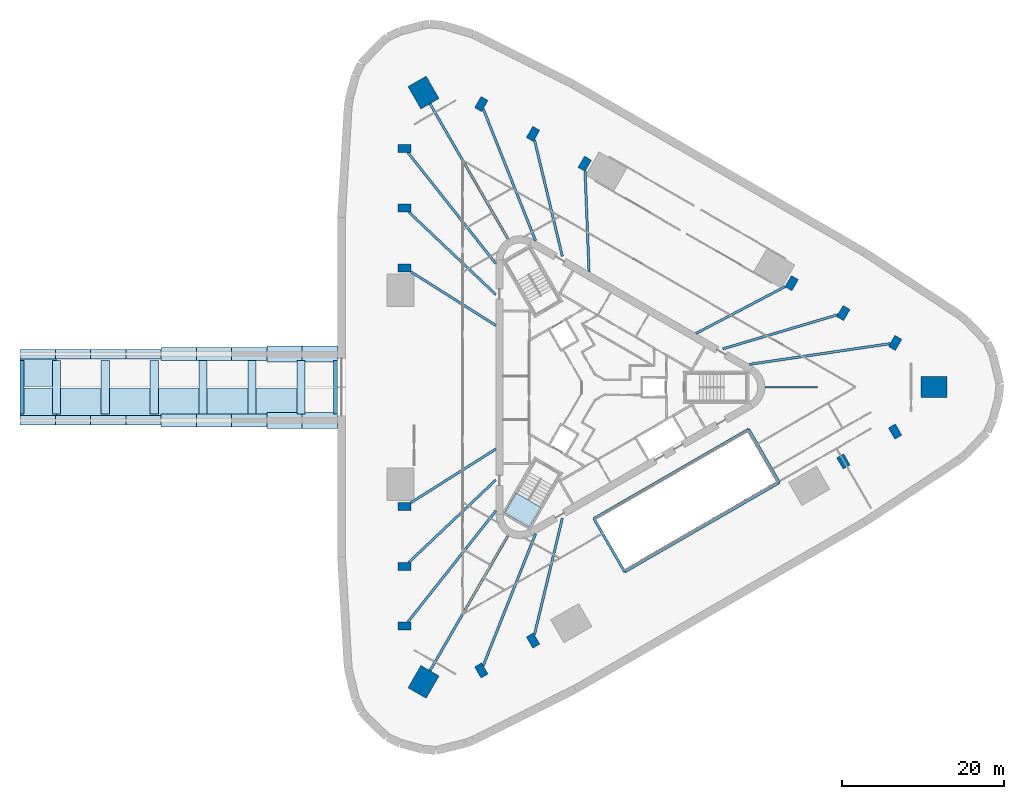
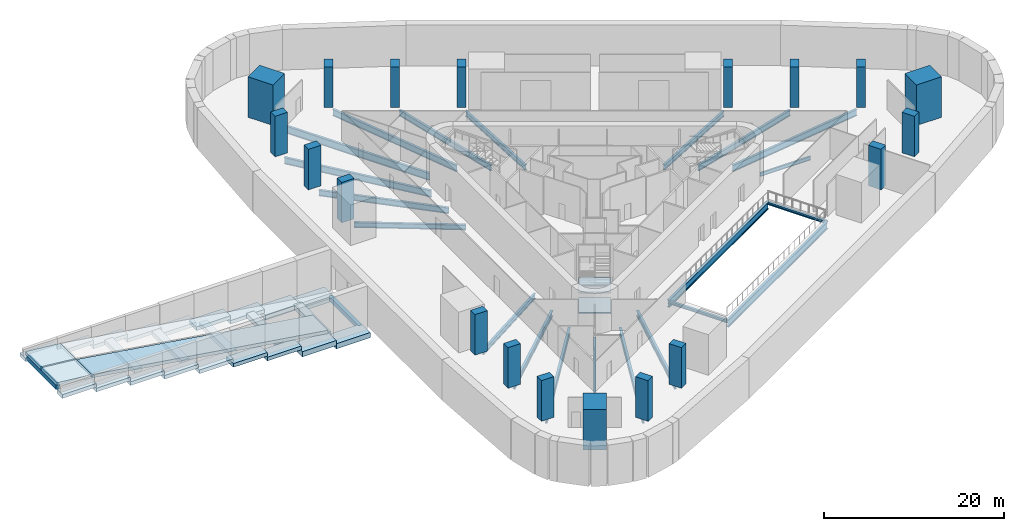
# One storey, part 1 of 13: 26 footings, 21 beams, 19 columns, 5 slabs, 1 element without a shape of its own.
"""IFC4 building model written with IfcOpenShell, lengths in metres."""

from ifc_helpers import new_model, si_unit, direction, frame, origin, origin_2d, place, context, subcontext, project, spatial, polyline, rectangle, i_section, outline, extrude, material, layer, layer_set, material_profile, profile_set, type_object, element, aggregate, save


model = new_model("IFC4")

# Units and contexts
model_context = context("Model", 3, precision=1e-05, world=origin(), true_north=direction((0.0, 1.0)))
body_context = subcontext(model_context, "Body", "Model", "MODEL_VIEW")
ifc_project = project(units=[si_unit("LENGTHUNIT", "METRE"), si_unit("AREAUNIT", "SQUARE_METRE"), si_unit("VOLUMEUNIT", "CUBIC_METRE"), si_unit("PLANEANGLEUNIT", "RADIAN"), si_unit("MASSUNIT", "GRAM", prefix="KILO")], contexts=[model_context])

# Site, building, storey
site_placement = place(None, origin())
site = spatial("IfcSite", under=ifc_project, at=site_placement, CompositionType="ELEMENT")
building_placement = place(site_placement, origin())
building = spatial("IfcBuilding", under=site, at=building_placement, Name="Tanit Gate Tower", CompositionType="ELEMENT")
storey_placement = place(building_placement, frame((0.0, 0.0, -5.5)))
storey = spatial("IfcBuildingStorey", under=building, at=storey_placement, Name="B1", CompositionType="ELEMENT", Elevation=-5.5)

# Footings
ifc_material_1 = material(Name="Concrete C35/45", Category="concrete")
ifc_layer_1 = layer(ifc_material_1, 0.5)
ifc_layer_set_1 = layer_set([ifc_layer_1], Name="STRIP FOOTING 1200 500 C35/45")
footing_type_1 = type_object("IfcFootingType", Name="STRIP FOOTING 1200 500 C35/45", PredefinedType="STRIP_FOOTING", material=ifc_layer_set_1)
footing_1_placement = place(storey_placement, frame((0.0, 0.0, 2.130859375)))
element("IfcFooting", 1, at=footing_1_placement, inside=storey, type_object=footing_type_1, Name="STRIP FOOTING", PredefinedType="STRIP_FOOTING", context=body_context, shape_type="SweptSolid", body=[
    extrude(outline(polyline([(-53.542236328125, -4.699951171875), (-57.90673828125, -4.699951171875), (-57.90673828125, -3.5), (-53.542236328125, -3.5), (-53.542236328125, -4.699951171875)])), origin(), (0.0, 0.0, 1.0), 0.5),
])
footing_2_placement = place(storey_placement, frame((0.0, 0.0, 2.79248046875)))
element("IfcFooting", 2, at=footing_2_placement, inside=storey, type_object=footing_type_1, Name="STRIP FOOTING", PredefinedType="STRIP_FOOTING", context=body_context, shape_type="SweptSolid", body=[
    extrude(outline(polyline([(-57.90673828125, -4.699951171875), (-62.27099609375, -4.699951171875), (-62.27099609375, -3.5), (-57.90673828125, -3.5), (-57.90673828125, -4.699951171875)])), origin(), (0.0, 0.0, 1.0), 0.5),
])
footing_3_placement = place(storey_placement, frame((0.0, 0.0, 3.4541015625)))
element("IfcFooting", 3, at=footing_3_placement, inside=storey, type_object=footing_type_1, Name="STRIP FOOTING", PredefinedType="STRIP_FOOTING", context=body_context, shape_type="SweptSolid", body=[
    extrude(outline(polyline([(-62.27099609375, -4.699951171875), (-66.635498046875, -4.699951171875), (-66.635498046875, -3.5), (-62.27099609375, -3.5), (-62.27099609375, -4.699951171875)])), origin(), (0.0, 0.0, 1.0), 0.5),
])
footing_4_placement = place(storey_placement, frame((0.0, 0.0, 4.11572265625)))
element("IfcFooting", 4, at=footing_4_placement, inside=storey, type_object=footing_type_1, Name="STRIP FOOTING", PredefinedType="STRIP_FOOTING", context=body_context, shape_type="SweptSolid", body=[
    extrude(outline(polyline([(-66.635498046875, -4.699951171875), (-71.0, -4.699951171875), (-71.0, -3.5), (-66.635498046875, -3.5), (-66.635498046875, -4.699951171875)])), origin(), (0.0, 0.0, 1.0), 0.5),
])
footing_5_placement = place(storey_placement, frame((0.0, 0.0, 2.130859375)))
element("IfcFooting", 5, at=footing_5_placement, inside=storey, type_object=footing_type_1, Name="STRIP FOOTING", PredefinedType="STRIP_FOOTING", context=body_context, shape_type="SweptSolid", body=[
    extrude(outline(polyline([(-53.542236328125, 3.5), (-57.90673828125, 3.5), (-57.90673828125, 4.699951171875), (-53.542236328125, 4.699951171875), (-53.542236328125, 3.5)])), origin(), (0.0, 0.0, 1.0), 0.5),
])
footing_6_placement = place(storey_placement, frame((0.0, 0.0, 2.79248046875)))
element("IfcFooting", 6, at=footing_6_placement, inside=storey, type_object=footing_type_1, Name="STRIP FOOTING", PredefinedType="STRIP_FOOTING", context=body_context, shape_type="SweptSolid", body=[
    extrude(outline(polyline([(-57.90673828125, 3.5), (-62.27099609375, 3.5), (-62.27099609375, 4.699951171875), (-57.90673828125, 4.699951171875), (-57.90673828125, 3.5)])), origin(), (0.0, 0.0, 1.0), 0.5),
])
footing_7_placement = place(storey_placement, frame((0.0, 0.0, 3.4541015625)))
element("IfcFooting", 7, at=footing_7_placement, inside=storey, type_object=footing_type_1, Name="STRIP FOOTING", PredefinedType="STRIP_FOOTING", context=body_context, shape_type="SweptSolid", body=[
    extrude(outline(polyline([(-62.27099609375, 3.5), (-66.635498046875, 3.5), (-66.635498046875, 4.699951171875), (-62.27099609375, 4.699951171875), (-62.27099609375, 3.5)])), origin(), (0.0, 0.0, 1.0), 0.5),
])
footing_8_placement = place(storey_placement, frame((0.0, 0.0, 4.11572265625)))
element("IfcFooting", 8, at=footing_8_placement, inside=storey, type_object=footing_type_1, Name="STRIP FOOTING", PredefinedType="STRIP_FOOTING", context=body_context, shape_type="SweptSolid", body=[
    extrude(outline(polyline([(-66.635498046875, 3.5), (-71.0, 3.5), (-71.0, 4.699951171875), (-66.635498046875, 4.699951171875), (-66.635498046875, 3.5)])), origin(), (0.0, 0.0, 1.0), 0.5),
])
ifc_material_2 = material(Name="Concrete C35/45", Category="concrete")
ifc_layer_2 = layer(ifc_material_2, 0.5)
ifc_layer_set_2 = layer_set([ifc_layer_2], Name="STRIP FOOTING 1600 500 C35/45")
footing_type_2 = type_object("IfcFootingType", Name="STRIP FOOTING 1600 500 C35/45", PredefinedType="STRIP_FOOTING", material=ifc_layer_set_2)
footing_9_placement = place(storey_placement, frame((0.0, 0.0, 0.14599609375)))
element("IfcFooting", 9, at=footing_9_placement, inside=storey, type_object=footing_type_2, Name="STRIP FOOTING", PredefinedType="STRIP_FOOTING", context=body_context, shape_type="SweptSolid", body=[
    extrude(outline(polyline([(-40.448974609375, -4.89990234375), (-44.813232421875, -4.89990234375), (-44.813232421875, -3.300048828125), (-40.448974609375, -3.300048828125), (-40.448974609375, -4.89990234375)])), origin(), (0.0, 0.0, 1.0), 0.5),
])
footing_10_placement = place(storey_placement, frame((0.0, 0.0, 0.8076171875)))
element("IfcFooting", 10, at=footing_10_placement, inside=storey, type_object=footing_type_2, Name="STRIP FOOTING", PredefinedType="STRIP_FOOTING", context=body_context, shape_type="SweptSolid", body=[
    extrude(outline(polyline([(-44.813232421875, -4.89990234375), (-49.177734375, -4.89990234375), (-49.177734375, -3.300048828125), (-44.813232421875, -3.300048828125), (-44.813232421875, -4.89990234375)])), origin(), (0.0, 0.0, 1.0), 0.5),
])
footing_11_placement = place(storey_placement, frame((0.0, 0.0, 1.46923828125)))
element("IfcFooting", 11, at=footing_11_placement, inside=storey, type_object=footing_type_2, Name="STRIP FOOTING", PredefinedType="STRIP_FOOTING", context=body_context, shape_type="SweptSolid", body=[
    extrude(outline(polyline([(-49.177734375, -4.89990234375), (-53.542236328125, -4.89990234375), (-53.542236328125, -3.300048828125), (-49.177734375, -3.300048828125), (-49.177734375, -4.89990234375)])), origin(), (0.0, 0.0, 1.0), 0.5),
])
footing_12_placement = place(storey_placement, frame((0.0, 0.0, 0.14599609375)))
element("IfcFooting", 12, at=footing_12_placement, inside=storey, type_object=footing_type_2, Name="STRIP FOOTING", PredefinedType="STRIP_FOOTING", context=body_context, shape_type="SweptSolid", body=[
    extrude(outline(polyline([(-40.448974609375, 3.300048828125), (-44.813232421875, 3.300048828125), (-44.813232421875, 4.89990234375), (-40.448974609375, 4.89990234375), (-40.448974609375, 3.300048828125)])), origin(), (0.0, 0.0, 1.0), 0.5),
])
footing_13_placement = place(storey_placement, frame((0.0, 0.0, 0.8076171875)))
element("IfcFooting", 13, at=footing_13_placement, inside=storey, type_object=footing_type_2, Name="STRIP FOOTING", PredefinedType="STRIP_FOOTING", context=body_context, shape_type="SweptSolid", body=[
    extrude(outline(polyline([(-44.813232421875, 3.300048828125), (-49.177734375, 3.300048828125), (-49.177734375, 4.89990234375), (-44.813232421875, 4.89990234375), (-44.813232421875, 3.300048828125)])), origin(), (0.0, 0.0, 1.0), 0.5),
])
footing_14_placement = place(storey_placement, frame((0.0, 0.0, 1.46923828125)))
element("IfcFooting", 14, at=footing_14_placement, inside=storey, type_object=footing_type_2, Name="STRIP FOOTING", PredefinedType="STRIP_FOOTING", context=body_context, shape_type="SweptSolid", body=[
    extrude(outline(polyline([(-49.177734375, 3.300048828125), (-53.542236328125, 3.300048828125), (-53.542236328125, 4.89990234375), (-49.177734375, 4.89990234375), (-49.177734375, 3.300048828125)])), origin(), (0.0, 0.0, 1.0), 0.5),
])
ifc_material_3 = material(Name="Concrete C35/45", Category="concrete")
ifc_layer_3 = layer(ifc_material_3, 0.699951171875)
ifc_layer_set_3 = layer_set([ifc_layer_3], Name="STRIP FOOTING 2000 700 C35/45")
footing_type_3 = type_object("IfcFootingType", Name="STRIP FOOTING 2000 700 C35/45", PredefinedType="STRIP_FOOTING", material=ifc_layer_set_3)
footing_15_placement = place(storey_placement, frame((0.0, 0.0, -1.14990234375)))
element("IfcFooting", 15, at=footing_15_placement, inside=storey, type_object=footing_type_3, Name="STRIP FOOTING", PredefinedType="STRIP_FOOTING", context=body_context, shape_type="SweptSolid", body=[
    extrude(outline(polyline([(-31.719970703125, -5.10009765625), (-36.08447265625, -5.10009765625), (-36.08447265625, -3.10009765625), (-31.719970703125, -3.10009765625), (-31.719970703125, -5.10009765625)])), origin(), (0.0, 0.0, 1.0), 0.699951171875),
])
footing_16_placement = place(storey_placement, frame((0.0, 0.0, -0.7158203125)))
element("IfcFooting", 16, at=footing_16_placement, inside=storey, type_object=footing_type_3, Name="STRIP FOOTING", PredefinedType="STRIP_FOOTING", context=body_context, shape_type="SweptSolid", body=[
    extrude(outline(polyline([(-36.08447265625, -5.10009765625), (-40.448974609375, -5.10009765625), (-40.448974609375, -3.10009765625), (-36.08447265625, -3.10009765625), (-36.08447265625, -5.10009765625)])), origin(), (0.0, 0.0, 1.0), 0.7001953125),
])
footing_17_placement = place(storey_placement, frame((0.0, 0.0, -1.14990234375)))
element("IfcFooting", 17, at=footing_17_placement, inside=storey, type_object=footing_type_3, Name="STRIP FOOTING", PredefinedType="STRIP_FOOTING", context=body_context, shape_type="SweptSolid", body=[
    extrude(outline(polyline([(-31.719970703125, 3.10009765625), (-36.08447265625, 3.10009765625), (-36.08447265625, 5.10009765625), (-31.719970703125, 5.10009765625), (-31.719970703125, 3.10009765625)])), origin(), (0.0, 0.0, 1.0), 0.699951171875),
])
footing_18_placement = place(storey_placement, frame((0.0, 0.0, -0.7158203125)))
element("IfcFooting", 18, at=footing_18_placement, inside=storey, type_object=footing_type_3, Name="STRIP FOOTING", PredefinedType="STRIP_FOOTING", context=body_context, shape_type="SweptSolid", body=[
    extrude(outline(polyline([(-36.08447265625, 3.10009765625), (-40.448974609375, 3.10009765625), (-40.448974609375, 5.10009765625), (-36.08447265625, 5.10009765625), (-36.08447265625, 3.10009765625)])), origin(), (0.0, 0.0, 1.0), 0.7001953125),
])
ifc_material_4 = material(Name="Concrete C35/45", Category="concrete")
ifc_layer_4 = layer(ifc_material_4, 0.60009765625)
ifc_layer_set_4 = layer_set([ifc_layer_4], Name="STRIP FOOTING RAMP BASE 600 C35/45")
footing_type_4 = type_object("IfcFootingType", Name="STRIP FOOTING RAMP BASE 600 C35/45", PredefinedType="STRIP_FOOTING", material=ifc_layer_set_4)
footing_19_placement = place(storey_placement, frame((0.0, 0.0, -1.050048828125)))
element("IfcFooting", 19, at=footing_19_placement, inside=storey, type_object=footing_type_4, Name="STRIP FOOTING", PredefinedType="STRIP_FOOTING", context=body_context, shape_type="SweptSolid", body=[
    extrude(outline(polyline([(-31.719970703125, -3.300048828125), (-32.219970703125, -3.300048828125), (-32.219970703125, 3.300048828125), (-31.719970703125, 3.300048828125), (-31.719970703125, -3.300048828125)])), origin(), (0.0, 0.0, 1.0), 0.60009765625),
])
footing_20_placement = place(storey_placement, frame((0.0, 0.0, -0.59521484375)))
element("IfcFooting", 20, at=footing_20_placement, inside=storey, type_object=footing_type_4, Name="STRIP FOOTING", PredefinedType="STRIP_FOOTING", context=body_context, shape_type="SweptSolid", body=[
    extrude(outline(polyline([(-35.719970703125, -3.300048828125), (-36.719970703125, -3.300048828125), (-36.719970703125, 3.300048828125), (-35.719970703125, 3.300048828125), (-35.719970703125, -3.300048828125)])), origin(), (0.0, 0.0, 1.0), 0.60009765625),
])
footing_21_placement = place(storey_placement, frame((0.0, 0.0, 0.322998046875)))
element("IfcFooting", 21, at=footing_21_placement, inside=storey, type_object=footing_type_4, Name="STRIP FOOTING", PredefinedType="STRIP_FOOTING", context=body_context, shape_type="SweptSolid", body=[
    extrude(outline(polyline([(-41.77587890625, -3.300048828125), (-42.77587890625, -3.300048828125), (-42.77587890625, 3.300048828125), (-41.77587890625, 3.300048828125), (-41.77587890625, -3.300048828125)])), origin(), (0.0, 0.0, 1.0), 0.599853515625),
])
footing_22_placement = place(storey_placement, frame((0.0, 0.0, 1.240966796875)))
element("IfcFooting", 22, at=footing_22_placement, inside=storey, type_object=footing_type_4, Name="STRIP FOOTING", PredefinedType="STRIP_FOOTING", context=body_context, shape_type="SweptSolid", body=[
    extrude(outline(polyline([(-47.83203125, -3.300048828125), (-48.83203125, -3.300048828125), (-48.83203125, 3.300048828125), (-47.83203125, 3.300048828125), (-47.83203125, -3.300048828125)])), origin(), (0.0, 0.0, 1.0), 0.60009765625),
])
footing_23_placement = place(storey_placement, frame((0.0, 0.0, 2.158935546875)))
element("IfcFooting", 23, at=footing_23_placement, inside=storey, type_object=footing_type_4, Name="STRIP FOOTING", PredefinedType="STRIP_FOOTING", context=body_context, shape_type="SweptSolid", body=[
    extrude(outline(polyline([(-53.887939453125, -3.300048828125), (-54.887939453125, -3.300048828125), (-54.887939453125, 3.300048828125), (-53.887939453125, 3.300048828125), (-53.887939453125, -3.300048828125)])), origin(), (0.0, 0.0, 1.0), 0.60009765625),
])
footing_24_placement = place(storey_placement, frame((0.0, 0.0, 3.0771484375)))
element("IfcFooting", 24, at=footing_24_placement, inside=storey, type_object=footing_type_4, Name="STRIP FOOTING", PredefinedType="STRIP_FOOTING", context=body_context, shape_type="SweptSolid", body=[
    extrude(outline(polyline([(-59.944091796875, -3.300048828125), (-60.944091796875, -3.300048828125), (-60.944091796875, 3.300048828125), (-59.944091796875, 3.300048828125), (-59.944091796875, -3.300048828125)])), origin(), (0.0, 0.0, 1.0), 0.599853515625),
])
footing_25_placement = place(storey_placement, frame((0.0, 0.0, 3.9951171875)))
element("IfcFooting", 25, at=footing_25_placement, inside=storey, type_object=footing_type_4, Name="STRIP FOOTING", PredefinedType="STRIP_FOOTING", context=body_context, shape_type="SweptSolid", body=[
    extrude(outline(polyline([(-66.0, -3.300048828125), (-67.0, -3.300048828125), (-67.0, 3.300048828125), (-66.0, 3.300048828125), (-66.0, -3.300048828125)])), origin(), (0.0, 0.0, 1.0), 0.60009765625),
])
footing_26_placement = place(storey_placement, frame((0.0, 0.0, 4.449951171875)))
element("IfcFooting", 26, at=footing_26_placement, inside=storey, type_object=footing_type_4, Name="STRIP FOOTING", PredefinedType="STRIP_FOOTING", context=body_context, shape_type="SweptSolid", body=[
    extrude(outline(polyline([(-70.5, -3.300048828125), (-71.0, -3.300048828125), (-71.0, 3.300048828125), (-70.5, 3.300048828125), (-70.5, -3.300048828125)])), origin(), (0.0, 0.0, 1.0), 0.60009765625),
])

# Columns
ifc_material_5 = material(Name="Concrete C80/95", Category="concrete")
ifc_material_profile_1 = material_profile(ifc_material_5, rectangle(XDim=3.199951171875, YDim=2.60009765625, at=origin_2d()), Name="RC 3200x2600")
ifc_profile_set_1 = profile_set([ifc_material_profile_1], Name="Concrete C80/95")
column_type_1 = type_object("IfcColumnType", Name="MEGA COLUMN 3200x2600 C80/95", PredefinedType="COLUMN", material=ifc_profile_set_1)
for number, where, z_axis, x_axis, name in (
    (27, (42.111328125, 0.0, 0.0), (0.0, 0.0, 1.0), (1.0, 0.0, 0.0), "MEGA COLUMN"),
    (28, (-21.0556640625, 36.469482421875, 0.0), (0.0, 0.0, 1.0), (-0.5, 0.866025403784, 0.0), "MEGA COLUMN"),
    (29, (-21.0556640625, -36.469482421875, 0.0), (0.0, 0.0, 1.0), (-0.5, -0.866025403784, 0.0), "MEGA COLUMN"),
):
    element("IfcColumn", number, at=place(storey_placement, frame(where, z_axis=z_axis, x_axis=x_axis)), inside=storey, type_object=column_type_1, Name=name, PredefinedType="COLUMN", context=body_context, shape_type="SweptSolid", body=[
        extrude(rectangle(XDim=3.199951171875, YDim=2.60009765625, at=origin_2d()), origin(), (0.0, 0.0, 1.0), 5.5),
    ])
ifc_material_6 = material(Name="Concrete C70/85", Category="concrete")
ifc_material_profile_2 = material_profile(ifc_material_6, rectangle(XDim=1.60009765625, YDim=1.0, at=origin_2d()), Name="RC 1600x1000")
ifc_profile_set_2 = profile_set([ifc_material_profile_2], Name="Concrete C70/85")
column_type_2 = type_object("IfcColumnType", Name="PERIMETER COLUMN 1600x1000 C70/85", PredefinedType="COLUMN", material=ifc_profile_set_2)
for number, where, z_axis, x_axis, name in (
    (30, (-23.4033203125, 29.56591796875, 0.0), (0.0, 0.0, 1.0), (-1.0, 0.0, 0.0), "PERIMETER COLUMN"),
    (31, (-23.4033203125, 22.17431640625, 0.0), (0.0, 0.0, 1.0), (-1.0, 0.0, 0.0), "PERIMETER COLUMN"),
    (32, (-23.4033203125, 14.782958984375, 0.0), (0.0, 0.0, 1.0), (-1.0, 0.0, 0.0), "PERIMETER COLUMN"),
    (33, (-23.4033203125, -14.782958984375, 0.0), (0.0, 0.0, 1.0), (-1.0, 0.0, 0.0), "PERIMETER COLUMN"),
    (34, (-23.4033203125, -22.17431640625, 0.0), (0.0, 0.0, 1.0), (-1.0, 0.0, 0.0), "PERIMETER COLUMN"),
    (35, (-23.4033203125, -29.56591796875, 0.0), (0.0, 0.0, 1.0), (-1.0, 0.0, 0.0), "PERIMETER COLUMN"),
    (36, (37.306396484375, 5.485107421875, 0.0), (0.0, 0.0, 1.0), (0.5, 0.866025403784, 0.0), "PERIMETER COLUMN"),
    (37, (30.9052734375, 9.180908203125, 0.0), (0.0, 0.0, 1.0), (0.5, 0.866025403784, 0.0), "PERIMETER COLUMN"),
    (38, (24.504150390625, 12.87646484375, 0.0), (0.0, 0.0, 1.0), (0.5, 0.866025403784, 0.0), "PERIMETER COLUMN"),
    (39, (-1.1005859375, 27.659423828125, 0.0), (0.0, 0.0, 1.0), (0.5, 0.866025403784, 0.0), "PERIMETER COLUMN"),
    (40, (-7.501708984375, 31.35498046875, 0.0), (0.0, 0.0, 1.0), (0.5, 0.866025403784, 0.0), "PERIMETER COLUMN"),
    (41, (-13.903076171875, 35.05078125, 0.0), (0.0, 0.0, 1.0), (0.5, 0.866025403784, 0.0), "PERIMETER COLUMN"),
    (42, (-13.903076171875, -35.05078125, 0.0), (0.0, 0.0, 1.0), (0.5, -0.866025403784, 0.0), "PERIMETER COLUMN"),
    (43, (-7.501708984375, -31.35498046875, 0.0), (0.0, 0.0, 1.0), (0.5, -0.866025403784, 0.0), "PERIMETER COLUMN"),
    (44, (30.9052734375, -9.180908203125, 0.0), (0.0, 0.0, 1.0), (0.5, -0.866025403784, 0.0), "PERIMETER COLUMN"),
    (45, (37.306396484375, -5.485107421875, 0.0), (0.0, 0.0, 1.0), (0.5, -0.866025403784, 0.0), "PERIMETER COLUMN"),
):
    element("IfcColumn", number, at=place(storey_placement, frame(where, z_axis=z_axis, x_axis=x_axis)), inside=storey, type_object=column_type_2, Name=name, PredefinedType="COLUMN", context=body_context, shape_type="SweptSolid", body=[
        extrude(rectangle(XDim=1.60009765625, YDim=1.0, at=origin_2d()), origin(), (0.0, 0.0, 1.0), 5.5),
    ])

# Beams
ifc_material_7 = material(Name="Steel S355", Category="steel")
ifc_material_profile_3 = material_profile(ifc_material_7, i_section(OverallWidth=0.300048828125, OverallDepth=0.389892578125, WebThickness=0.010986328125, FlangeThickness=0.01904296875, FilletRadius=0.027099609375, at=origin_2d()), Name="HEA 400")
ifc_profile_set_3 = profile_set([ifc_material_profile_3], Name="Steel S355")
beam_type_1 = type_object("IfcBeamType", Name="EDGE BEAM HEA 400 S355", PredefinedType="BEAM", material=ifc_profile_set_3)
for number, where, z_axis, x_axis, name in (
    (46, (19.18310546875, -5.1943359375, -0.594970703125), (0.500005339912, -0.866022320763, 0.0), (0.866022320763, 0.500005339912, 0.0), "EDGE BEAM"),
    (47, (3.838623046875, -22.852294921875, -0.594970703125), (-0.500005339912, 0.866022320763, 0.0), (-0.866022320763, -0.500005339912, 0.0), "EDGE BEAM"),
):
    element("IfcBeam", number, at=place(storey_placement, frame(where, z_axis=z_axis, x_axis=x_axis)), inside=storey, type_object=beam_type_1, Name=name, PredefinedType="BEAM", context=body_context, shape_type="SweptSolid", body=[
        extrude(i_section(OverallWidth=0.300048828125, OverallDepth=0.389892578125, WebThickness=0.010986328125, FlangeThickness=0.01904296875, FilletRadius=0.027099609375, at=origin_2d()), origin(), (0.0, 0.0, 1.0), 7.6201171875),
    ])
ifc_material_8 = material(Name="Steel S355", Category="steel")
ifc_material_profile_4 = material_profile(ifc_material_8, i_section(OverallWidth=0.300048828125, OverallDepth=1.0, WebThickness=0.01904296875, FlangeThickness=0.035888671875, FilletRadius=0.030029296875, at=origin_2d()), Name="HEB 1000")
ifc_profile_set_4 = profile_set([ifc_material_profile_4], Name="Steel S355")
beam_type_2 = type_object("IfcBeamType", Name="EDGE BEAM HEB 1000 S355", PredefinedType="BEAM", material=ifc_profile_set_4)
for number, where, z_axis, x_axis, name in (
    (48, (22.9931640625, -11.79345703125, -0.89990234375), (-0.866026216665, -0.499998592047, 0.0), (0.499998592047, -0.866026216665, 0.0), "EDGE BEAM"),
    (49, (0.028564453125, -16.253173828125, -0.89990234375), (0.866026216665, 0.499998592047, 0.0), (-0.499998592047, 0.866026216665, 0.0), "EDGE BEAM"),
):
    element("IfcBeam", number, at=place(storey_placement, frame(where, z_axis=z_axis, x_axis=x_axis)), inside=storey, type_object=beam_type_2, Name=name, PredefinedType="BEAM", context=body_context, shape_type="SweptSolid", body=[
        extrude(i_section(OverallWidth=0.300048828125, OverallDepth=1.0, WebThickness=0.01904296875, FlangeThickness=0.035888671875, FilletRadius=0.030029296875, at=origin_2d()), origin(), (0.0, 0.0, 1.0), 22.11767578125),
    ])
ifc_material_9 = material(Name="Steel S355", Category="steel")
ifc_material_profile_5 = material_profile(ifc_material_9, i_section(OverallWidth=0.300048828125, OverallDepth=0.68994140625, WebThickness=0.014404296875, FlangeThickness=0.027099609375, FilletRadius=0.027099609375, at=origin_2d()), Name="HEA 700")
ifc_profile_set_5 = profile_set([ifc_material_profile_5], Name="Steel S355")
beam_type_3 = type_object("IfcBeamType", Name="RADIAL GIRDER HEA 700 S355", PredefinedType="BEAM", material=ifc_profile_set_5)
for number, where, z_axis, x_axis, name in (
    (50, (-22.61181640625, -14.282958984375, -0.7451171875), (0.845455299751, 0.534046192874, 0.0), (-0.534046192874, 0.845455299751, 0.0), "RADIAL GIRDER"),
    (51, (23.67529296875, 12.44091796875, -0.7451171875), (-0.885222641024, -0.46516757821, 0.0), (0.46516757821, -0.885222641024, 0.0), "RADIAL GIRDER"),
    (52, (-1.0634765625, 26.723876953125, -0.7451171875), (0.039770385668, -0.999208845249, 0.0), (0.999208845249, 0.039770385668, 0.0), "RADIAL GIRDER"),
    (53, (-22.61181640625, 14.282958984375, -0.7451171875), (0.845455299751, -0.534046192874, 0.0), (0.534046192874, 0.845455299751, 0.0), "RADIAL GIRDER"),
):
    element("IfcBeam", number, at=place(storey_placement, frame(where, z_axis=z_axis, x_axis=x_axis)), inside=storey, type_object=beam_type_3, Name=name, PredefinedType="BEAM", context=body_context, shape_type="SweptSolid", body=[
        extrude(i_section(OverallWidth=0.300048828125, OverallDepth=0.68994140625, WebThickness=0.014404296875, FlangeThickness=0.027099609375, FilletRadius=0.027099609375, at=origin_2d()), origin(), (0.0, 0.0, 1.0), 12.430908203125),
    ])
ifc_material_10 = material(Name="Steel S355", Category="steel")
ifc_material_profile_6 = material_profile(ifc_material_10, i_section(OverallWidth=0.300048828125, OverallDepth=0.7900390625, WebThickness=0.014892578125, FlangeThickness=0.028076171875, FilletRadius=0.030029296875, at=origin_2d()), Name="HEA 800")
ifc_profile_set_6 = profile_set([ifc_material_profile_6], Name="Steel S355")
beam_type_4 = type_object("IfcBeamType", Name="RADIAL GIRDER HEA 800 S355", PredefinedType="BEAM", material=ifc_profile_set_6)
for number, where, z_axis, x_axis, name in (
    (54, (-22.875732421875, -21.67431640625, -0.794921875), (0.725906863399, 0.687793010774, 0.0), (-0.687793010774, 0.725906863399, 0.0), "RADIAL GIRDER"),
    (55, (-7.33251953125, -30.648193359375, -0.794921875), (0.232680439766, 0.972553244275, 0.0), (-0.972553244275, 0.232680439766, 0.0), "RADIAL GIRDER"),
    (56, (30.20849609375, 8.973876953125, -0.794921875), (-0.958594748436, -0.284773784383, 0.0), (0.284773784383, -0.958594748436, 0.0), "RADIAL GIRDER"),
    (57, (-7.33251953125, 30.648193359375, -0.794921875), (0.232680439766, -0.972553244275, 0.0), (0.972553244275, 0.232680439766, 0.0), "RADIAL GIRDER"),
    (58, (-22.875732421875, 21.67431640625, -0.794921875), (0.725906863399, -0.687793010774, 0.0), (0.687793010774, 0.725906863399, 0.0), "RADIAL GIRDER"),
):
    element("IfcBeam", number, at=place(storey_placement, frame(where, z_axis=z_axis, x_axis=x_axis)), inside=storey, type_object=beam_type_4, Name=name, PredefinedType="BEAM", context=body_context, shape_type="SweptSolid", body=[
        extrude(i_section(OverallWidth=0.300048828125, OverallDepth=0.7900390625, WebThickness=0.014892578125, FlangeThickness=0.028076171875, FilletRadius=0.030029296875, at=origin_2d()), origin(), (0.0, 0.0, 1.0), 14.841796875),
    ])
ifc_material_11 = material(Name="Steel S355", Category="steel")
ifc_material_profile_7 = material_profile(ifc_material_11, i_section(OverallWidth=0.300048828125, OverallDepth=0.889892578125, WebThickness=0.01611328125, FlangeThickness=0.030029296875, FilletRadius=0.030029296875, at=origin_2d()), Name="HEA 900")
ifc_profile_set_7 = profile_set([ifc_material_profile_7], Name="Steel S355")
beam_type_5 = type_object("IfcBeamType", Name="RADIAL GIRDER HEA 900 S355", PredefinedType="BEAM", material=ifc_profile_set_7)
for number, where, z_axis, x_axis, name in (
    (59, (-23.007568359375, -29.06591796875, -0.844970703125), (0.620648848158, 0.784088647591, 0.0), (-0.784088647591, 0.620648848158, 0.0), "RADIAL GIRDER"),
    (60, (-13.66796875, -34.4580078125, -0.844970703125), (0.368718043826, 0.929541286957, 0.0), (-0.929541286957, 0.368718043826, 0.0), "RADIAL GIRDER"),
    (61, (36.675537109375, 5.392333984375, -0.844970703125), (-0.989364076068, -0.145460389747, 0.0), (0.145460389747, -0.989364076068, 0.0), "RADIAL GIRDER"),
    (62, (-13.66796875, 34.4580078125, -0.844970703125), (0.368718043826, -0.929541286957, 0.0), (0.929541286957, 0.368718043826, 0.0), "RADIAL GIRDER"),
    (63, (-23.007568359375, 29.06591796875, -0.844970703125), (0.620648848158, -0.784088647591, 0.0), (0.784088647591, 0.620648848158, 0.0), "RADIAL GIRDER"),
):
    element("IfcBeam", number, at=place(storey_placement, frame(where, z_axis=z_axis, x_axis=x_axis)), inside=storey, type_object=beam_type_5, Name=name, PredefinedType="BEAM", context=body_context, shape_type="SweptSolid", body=[
        extrude(i_section(OverallWidth=0.300048828125, OverallDepth=0.889892578125, WebThickness=0.01611328125, FlangeThickness=0.030029296875, FilletRadius=0.030029296875, at=origin_2d()), origin(), (0.0, 0.0, 1.0), 17.571044921875),
    ])
ifc_material_12 = material(Name="Steel S355", Category="steel")
ifc_material_profile_8 = material_profile(ifc_material_12, i_section(OverallWidth=0.300048828125, OverallDepth=1.0, WebThickness=0.01904296875, FlangeThickness=0.035888671875, FilletRadius=0.030029296875, at=origin_2d()), Name="HEB 1000")
ifc_profile_set_8 = profile_set([ifc_material_profile_8], Name="Steel S355")
beam_type_6 = type_object("IfcBeamType", Name="RADIAL GIRDER HEB 1000 S355", PredefinedType="BEAM", material=ifc_profile_set_8)
for number, where, z_axis, x_axis, name in (
    (64, (-20.255615234375, -35.083740234375, -0.89990234375), (0.499994246912, 0.866028725306, 0.0), (-0.866028725306, 0.499994246912, 0.0), "RADIAL GIRDER"),
    (65, (-20.255615234375, 35.083740234375, -0.89990234375), (0.499994246912, -0.866028725306, 0.0), (0.866028725306, 0.499994246912, 0.0), "RADIAL GIRDER"),
):
    element("IfcBeam", number, at=place(storey_placement, frame(where, z_axis=z_axis, x_axis=x_axis)), inside=storey, type_object=beam_type_6, Name=name, PredefinedType="BEAM", context=body_context, shape_type="SweptSolid", body=[
        extrude(i_section(OverallWidth=0.300048828125, OverallDepth=1.0, WebThickness=0.01904296875, FlangeThickness=0.035888671875, FilletRadius=0.030029296875, at=origin_2d()), origin(), (0.0, 0.0, 1.0), 19.309326171875),
    ])
ifc_material_13 = material(Name="Steel S355", Category="steel")
ifc_material_profile_9 = material_profile(ifc_material_13, i_section(OverallWidth=0.199951171875, OverallDepth=0.5, WebThickness=0.01025390625, FlangeThickness=0.01611328125, FilletRadius=0.02099609375, at=origin_2d()), Name="IPE 500")
ifc_profile_set_9 = profile_set([ifc_material_profile_9], Name="Steel S355")
beam_type_7 = type_object("IfcBeamType", Name="RADIAL GIRDER IPE 500 S355", PredefinedType="BEAM", material=ifc_profile_set_9)
beam_placement = place(storey_placement, frame((27.696044921875, 0.0, -0.64990234375), z_axis=(-1.0, 0.0, 0.0), x_axis=(0.0, -1.0, 0.0)))
element("IfcBeam", 66, at=beam_placement, inside=storey, type_object=beam_type_7, Name="RADIAL GIRDER", PredefinedType="BEAM", context=body_context, shape_type="SweptSolid", body=[
    extrude(i_section(OverallWidth=0.199951171875, OverallDepth=0.5, WebThickness=0.01025390625, FlangeThickness=0.01611328125, FilletRadius=0.02099609375, at=origin_2d()), origin(), (0.0, 0.0, 1.0), 6.494140625),
])

# Stair, slabs
ifc_material_14 = material(Name="Concrete C40/50", Category="concrete")
stair_type = type_object("IfcStairType", Name="INT-STAIR-EXIT", PredefinedType="HALF_TURN_STAIR", material=ifc_material_14)
stair_placement = place(storey_placement, origin())
stair = element("IfcStair", 67, at=stair_placement, inside=storey, type_object=stair_type, Name="B1 STAIR S3", PredefinedType="HALF_TURN_STAIR")
ifc_material_15 = material(Name="Concrete C40/50", Category="concrete")
ifc_layer_5 = layer(ifc_material_15, 0.199951171875)
ifc_layer_set_5 = layer_set([ifc_layer_5], Name="INT-STAIR-LANDING")
slab_type_1 = type_object("IfcSlabType", Name="INT-STAIR-LANDING", PredefinedType="LANDING", material=ifc_layer_set_5)
slab_1_placement = place(storey_placement, frame((0.0, 0.0, 1.175048828125)))
slab_1 = element("IfcSlab", 68, at=slab_1_placement, type_object=slab_type_1, Name="S3 landing 1", PredefinedType="LANDING", context=body_context, shape_type="SweptSolid", body=[
    extrude(outline(polyline([(-9.626953125, -13.07421875), (-11.058837890625, -15.554443359375), (-7.941162109375, -17.3544921875), (-6.509033203125, -14.874267578125), (-9.626953125, -13.07421875)])), origin(), (0.0, 0.0, 1.0), 0.199951171875),
])
slab_2_placement = place(storey_placement, frame((0.0, 0.0, 3.925048828125)))
slab_2 = element("IfcSlab", 69, at=slab_2_placement, type_object=slab_type_1, Name="S3 landing 3", PredefinedType="LANDING", context=body_context, shape_type="SweptSolid", body=[
    extrude(outline(polyline([(-9.626953125, -13.07421875), (-11.058837890625, -15.554443359375), (-7.941162109375, -17.3544921875), (-6.509033203125, -14.874267578125), (-9.626953125, -13.07421875)])), origin(), (0.0, 0.0, 1.0), 0.199951171875),
])
aggregate(stair, [slab_1, slab_2])

# Slabs
ifc_material_16 = material(Name="Concrete C40/50", Category="concrete")
ifc_layer_6 = layer(ifc_material_16, 0.449951171875)
ifc_layer_set_6 = layer_set([ifc_layer_6], Name="VEHICLE RAMP FLIGHT 450 C40/50")
slab_type_2 = type_object("IfcSlabType", Name="VEHICLE RAMP FLIGHT 450 C40/50", PredefinedType="USERDEFINED", material=ifc_layer_set_6)
slab_3_placement = place(storey_placement, frame((-66.5, 0.10009765625, 5.045166015625), z_axis=(0.100561854168, 0.0, 0.994930808391), x_axis=(-0.994930808391, 0.0, 0.100561854168)))
element("IfcSlab", 70, at=slab_3_placement, inside=storey, type_object=slab_type_2, Name="VEHICLE RAMP R1-OUT FLIGHT 3", ObjectType="VEHICLE RAMP", PredefinedType="USERDEFINED", context=body_context, shape_type="SweptSolid", body=[
    extrude(outline(polyline([(0.0, 0.0), (2.261476068901218, 0.0), (4.522927586568509, 0.0), (4.522927586568509, -1.699951171875), (4.522927586568509, -3.39990234375), (2.261476068901218, -3.39990234375), (0.0, -3.39990234375), (0.0, -1.699951171875), (0.0, 0.0)])), origin(), (-0.100561854168, 0.0, -0.994930808391), 0.452392578125),
])
slab_4_placement = place(storey_placement, frame((-36.219970703125, -3.5, 0.454833984375), z_axis=(0.149883542936, 0.0, 0.988703658108), x_axis=(-0.988703658108, 0.0, 0.149883542936)))
element("IfcSlab", 71, at=slab_4_placement, inside=storey, type_object=slab_type_2, Name="VEHICLE RAMP R1-IN FLIGHT 2", ObjectType="VEHICLE RAMP", PredefinedType="USERDEFINED", context=body_context, shape_type="SweptSolid", body=[
    extrude(outline(polyline([(0.0, 0.0), (15.313116172137766, 0.0), (30.625990961546503, 0.0), (30.625990961546503, -1.6999511718749998), (30.625990961546503, -3.3999023437499996), (15.313116172137766, -3.3999023437499996), (0.0, -3.3999023437499996), (0.0, -1.6999511718749998), (0.0, 0.0)])), origin(), (-0.149883542936, 0.0, -0.988703658108), 0.455078125),
])
slab_5_placement = place(storey_placement, frame((-66.5, -3.5, 5.045166015625), z_axis=(0.100561854168, 0.0, 0.994930808391), x_axis=(-0.994930808391, 0.0, 0.100561854168)))
element("IfcSlab", 72, at=slab_5_placement, inside=storey, type_object=slab_type_2, Name="VEHICLE RAMP R1-IN FLIGHT 3", ObjectType="VEHICLE RAMP", PredefinedType="USERDEFINED", context=body_context, shape_type="SweptSolid", body=[
    extrude(outline(polyline([(0.0, 0.0), (2.261476068901218, 0.0), (4.522927586568509, 0.0), (4.522927586568509, -1.699951171875), (4.522927586568509, -3.39990234375), (2.261476068901218, -3.39990234375), (0.0, -3.39990234375), (0.0, -1.699951171875), (0.0, 0.0)])), origin(), (-0.100561854168, 0.0, -0.994930808391), 0.452392578125),
])

save(model, "model.ifc")
